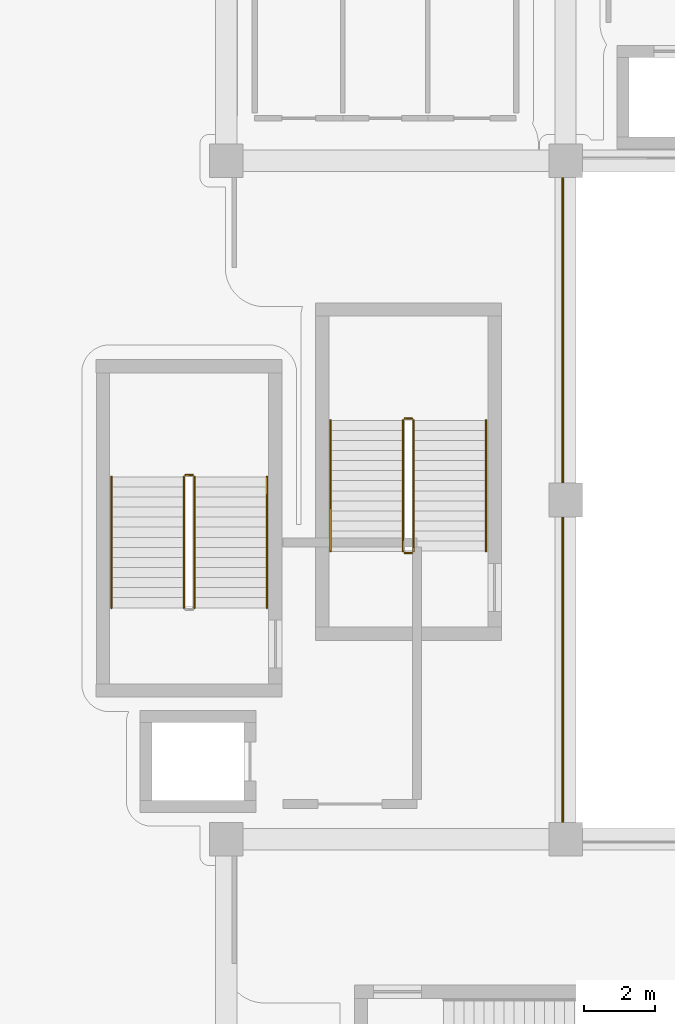
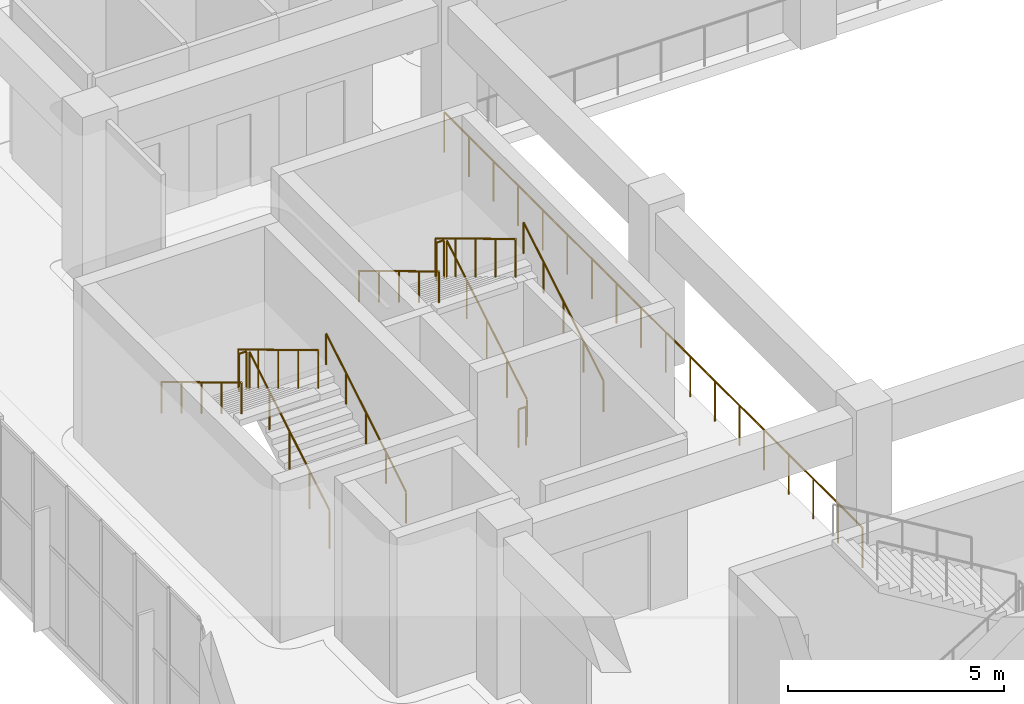
# One storey, part 64 of 86: 12 railings.
"""IFC4 building model written with IfcOpenShell, lengths in metres."""

from ifc_helpers import new_model, si_unit, direction, frame, origin, origin_2d, place, context, subcontext, project, spatial, circle, extrude, material, type_object, element, save


model = new_model("IFC4")

# Units and contexts
model_context = context("Model", 3, precision=1e-05, world=origin(), true_north=direction((0.0, 1.0)))
body_context = subcontext(model_context, "Body", "Model", "MODEL_VIEW")
ifc_project = project(units=[si_unit("LENGTHUNIT", "METRE"), si_unit("AREAUNIT", "SQUARE_METRE"), si_unit("VOLUMEUNIT", "CUBIC_METRE"), si_unit("PLANEANGLEUNIT", "RADIAN"), si_unit("MASSUNIT", "GRAM", prefix="KILO")], contexts=[model_context])

# Site, building, storey
site_placement = place(None, origin())
site = spatial("IfcSite", under=ifc_project, at=site_placement, CompositionType="ELEMENT")
building_placement = place(site_placement, origin())
building = spatial("IfcBuilding", under=site, at=building_placement, Name="Cendralis Terraced Arcade", CompositionType="ELEMENT")
storey_placement = place(building_placement, frame((0.0, 0.0, 5.39990234375)))
storey = spatial("IfcBuildingStorey", under=building, at=storey_placement, Name="L01", CompositionType="ELEMENT", Elevation=5.39990234375)

# Railings
ifc_material = material(Name="Brushed stainless steel AISI 316", Category="steel")
railing_type_1 = type_object("IfcRailingType", Name="RL-STAIR-GUARD-1100", PredefinedType="GUARDRAIL", material=ifc_material)
railing_1_placement = place(storey_placement, frame((8.699951171875, 25.75, 0.171630859375)))
element("IfcRailing", 1, at=railing_1_placement, inside=storey, type_object=railing_type_1, Name="L01 ST-01 stair guard 1", PredefinedType="GUARDRAIL", context=body_context, shape_type="SweptSolid", body=[
    extrude(circle(Radius=0.02392578125, at=origin_2d()), frame((0.0, 0.0, 1.076171875), z_axis=(0.0, 0.856934400257, 0.515425487977), x_axis=(-1.0, 0.0, 0.0)), (0.0, 0.0, 1.0), 4.32373046875),
    extrude(circle(Radius=0.02099609375, at=origin_2d()), origin(), (0.0, 0.0, 1.0), 1.052001953125),
    extrude(circle(Radius=0.02099609375, at=origin_2d()), frame((0.0, 0.92626953125, 0.55712890625)), (0.0, 0.0, 1.0), 1.052001953125),
    extrude(circle(Radius=0.02099609375, at=origin_2d()), frame((0.0, 1.8525390625, 1.1142578125)), (0.0, 0.0, 1.0), 1.052001953125),
    extrude(circle(Radius=0.02099609375, at=origin_2d()), frame((0.0, 2.77880859375, 1.67138671875)), (0.0, 0.0, 1.0), 1.052001953125),
    extrude(circle(Radius=0.02099609375, at=origin_2d()), frame((0.0, 3.705078125, 2.228515625)), (0.0, 0.0, 1.0), 1.052001953125),
])
railing_2_placement = place(storey_placement, frame((8.64990234375, 29.5048828125, 2.400146484375)))
element("IfcRailing", 2, at=railing_2_placement, inside=storey, type_object=railing_type_1, Name="L01 ST-01 stair guard 2", PredefinedType="GUARDRAIL", context=body_context, shape_type="SweptSolid", body=[
    extrude(circle(Radius=0.02392578125, at=origin_2d()), frame((0.0, 0.0, 1.076171875), z_axis=(-1.0, 0.0, 0.0), x_axis=(0.0, -1.0, 0.0)), (0.0, 0.0, 1.0), 0.199951171875),
    extrude(circle(Radius=0.02099609375, at=origin_2d()), origin(), (0.0, 0.0, 1.0), 1.052001953125),
    extrude(circle(Radius=0.02099609375, at=origin_2d()), frame((-0.199951171875, 0.0, 0.0)), (0.0, 0.0, 1.0), 1.052001953125),
])
railing_3_placement = place(storey_placement, frame((8.39990234375, 29.455078125, 2.571533203125)))
element("IfcRailing", 3, at=railing_3_placement, inside=storey, type_object=railing_type_1, Name="L01 ST-01 stair guard 3", PredefinedType="GUARDRAIL", context=body_context, shape_type="SweptSolid", body=[
    extrude(circle(Radius=0.02392578125, at=origin_2d()), frame((0.0, 0.0, 1.076171875), z_axis=(0.0, -0.856934400257, 0.515425487977), x_axis=(1.0, 0.0, 0.0)), (0.0, 0.0, 1.0), 4.32373046875),
    extrude(circle(Radius=0.02099609375, at=origin_2d()), origin(), (0.0, 0.0, 1.0), 1.052001953125),
    extrude(circle(Radius=0.02099609375, at=origin_2d()), frame((0.0, -0.92626953125, 0.55712890625)), (0.0, 0.0, 1.0), 1.052001953125),
    extrude(circle(Radius=0.02099609375, at=origin_2d()), frame((0.0, -1.8525390625, 1.1142578125)), (0.0, 0.0, 1.0), 1.052001953125),
    extrude(circle(Radius=0.02099609375, at=origin_2d()), frame((0.0, -2.77880859375, 1.67138671875)), (0.0, 0.0, 1.0), 1.052001953125),
    extrude(circle(Radius=0.02099609375, at=origin_2d()), frame((0.0, -3.705078125, 2.228515625)), (0.0, 0.0, 1.0), 1.052001953125),
])
railing_4_placement = place(storey_placement, frame((14.89990234375, 27.35009765625, 0.171630859375)))
element("IfcRailing", 4, at=railing_4_placement, inside=storey, type_object=railing_type_1, Name="L01 ST-05 stair guard 1", PredefinedType="GUARDRAIL", context=body_context, shape_type="SweptSolid", body=[
    extrude(circle(Radius=0.02392578125, at=origin_2d()), frame((0.0, 0.0, 1.076171875), z_axis=(0.0, 0.856919398105, 0.515450429384), x_axis=(-1.0, 0.0, 0.0)), (0.0, 0.0, 1.0), 4.323486328125),
    extrude(circle(Radius=0.02099609375, at=origin_2d()), origin(), (0.0, 0.0, 1.0), 1.052001953125),
    extrude(circle(Radius=0.02099609375, at=origin_2d()), frame((0.0, 0.92626953125, 0.55712890625)), (0.0, 0.0, 1.0), 1.052001953125),
    extrude(circle(Radius=0.02099609375, at=origin_2d()), frame((0.0, 1.8525390625, 1.1142578125)), (0.0, 0.0, 1.0), 1.052001953125),
    extrude(circle(Radius=0.02099609375, at=origin_2d()), frame((0.0, 2.778564453125, 1.67138671875)), (0.0, 0.0, 1.0), 1.052001953125),
    extrude(circle(Radius=0.02099609375, at=origin_2d()), frame((0.0, 3.704833984375, 2.228515625)), (0.0, 0.0, 1.0), 1.052001953125),
])
railing_5_placement = place(storey_placement, frame((14.85009765625, 31.10498046875, 2.400146484375)))
element("IfcRailing", 5, at=railing_5_placement, inside=storey, type_object=railing_type_1, Name="L01 ST-05 stair guard 2", PredefinedType="GUARDRAIL", context=body_context, shape_type="SweptSolid", body=[
    extrude(circle(Radius=0.02392578125, at=origin_2d()), frame((0.0, 0.0, 1.076171875), z_axis=(-1.0, 0.0, 0.0), x_axis=(0.0, -1.0, 0.0)), (0.0, 0.0, 1.0), 0.2001953125),
    extrude(circle(Radius=0.02099609375, at=origin_2d()), origin(), (0.0, 0.0, 1.0), 1.052001953125),
    extrude(circle(Radius=0.02099609375, at=origin_2d()), frame((-0.2001953125, 0.0, 0.0)), (0.0, 0.0, 1.0), 1.052001953125),
])
railing_6_placement = place(storey_placement, frame((14.60009765625, 31.054931640625, 2.571533203125)))
element("IfcRailing", 6, at=railing_6_placement, inside=storey, type_object=railing_type_1, Name="L01 ST-05 stair guard 3", PredefinedType="GUARDRAIL", context=body_context, shape_type="SweptSolid", body=[
    extrude(circle(Radius=0.02392578125, at=origin_2d()), frame((0.0, 0.0, 1.076171875), z_axis=(0.0, -0.856919398105, 0.515450429384), x_axis=(1.0, 0.0, 0.0)), (0.0, 0.0, 1.0), 4.323486328125),
    extrude(circle(Radius=0.02099609375, at=origin_2d()), origin(), (0.0, 0.0, 1.0), 1.052001953125),
    extrude(circle(Radius=0.02099609375, at=origin_2d()), frame((0.0, -0.92626953125, 0.55712890625)), (0.0, 0.0, 1.0), 1.052001953125),
    extrude(circle(Radius=0.02099609375, at=origin_2d()), frame((0.0, -1.8525390625, 1.1142578125)), (0.0, 0.0, 1.0), 1.052001953125),
    extrude(circle(Radius=0.02099609375, at=origin_2d()), frame((0.0, -2.778564453125, 1.67138671875)), (0.0, 0.0, 1.0), 1.052001953125),
    extrude(circle(Radius=0.02099609375, at=origin_2d()), frame((0.0, -3.704833984375, 2.228515625)), (0.0, 0.0, 1.0), 1.052001953125),
])
railing_7_placement = place(storey_placement, frame((14.85009765625, 27.300048828125, 0.0)))
element("IfcRailing", 7, at=railing_7_placement, inside=storey, type_object=railing_type_1, Name="L01 ST-05 stair guard 4", PredefinedType="GUARDRAIL", context=body_context, shape_type="SweptSolid", body=[
    extrude(circle(Radius=0.02392578125, at=origin_2d()), frame((0.0, 0.0, 1.076171875), z_axis=(-1.0, 0.0, 0.0), x_axis=(0.0, -1.0, 0.0)), (0.0, 0.0, 1.0), 0.2001953125),
    extrude(circle(Radius=0.02099609375, at=origin_2d()), origin(), (0.0, 0.0, 1.0), 1.052001953125),
    extrude(circle(Radius=0.02099609375, at=origin_2d()), frame((-0.2001953125, 0.0, 0.0)), (0.0, 0.0, 1.0), 1.052001953125),
])
railing_type_2 = type_object("IfcRailingType", Name="RL-STAIR-HAND-900", PredefinedType="HANDRAIL", material=ifc_material)
railing_8_placement = place(storey_placement, frame((10.75, 25.75, 0.171630859375)))
element("IfcRailing", 8, at=railing_8_placement, inside=storey, type_object=railing_type_2, Name="L01 ST-01 stair handrail 1", PredefinedType="HANDRAIL", context=body_context, shape_type="SweptSolid", body=[
    extrude(circle(Radius=0.02392578125, at=origin_2d()), frame((0.0, 0.0, 0.8759765625), z_axis=(0.0, 0.856934400257, 0.515425487977), x_axis=(-1.0, 0.0, 0.0)), (0.0, 0.0, 1.0), 4.32373046875),
    extrude(circle(Radius=0.02099609375, at=origin_2d()), origin(), (0.0, 0.0, 1.0), 0.851806640625),
    extrude(circle(Radius=0.02099609375, at=origin_2d()), frame((0.0, 0.92626953125, 0.55712890625)), (0.0, 0.0, 1.0), 0.851806640625),
    extrude(circle(Radius=0.02099609375, at=origin_2d()), frame((0.0, 1.8525390625, 1.1142578125)), (0.0, 0.0, 1.0), 0.851806640625),
    extrude(circle(Radius=0.02099609375, at=origin_2d()), frame((0.0, 2.77880859375, 1.67138671875)), (0.0, 0.0, 1.0), 0.851806640625),
    extrude(circle(Radius=0.02099609375, at=origin_2d()), frame((0.0, 3.705078125, 2.228515625)), (0.0, 0.0, 1.0), 0.851806640625),
])
railing_9_placement = place(storey_placement, frame((6.35009765625, 29.455078125, 2.571533203125)))
element("IfcRailing", 9, at=railing_9_placement, inside=storey, type_object=railing_type_2, Name="L01 ST-01 stair handrail 2", PredefinedType="HANDRAIL", context=body_context, shape_type="SweptSolid", body=[
    extrude(circle(Radius=0.02392578125, at=origin_2d()), frame((0.0, 0.0, 0.8759765625), z_axis=(0.0, -0.856934400257, 0.515425487977), x_axis=(1.0, 0.0, 0.0)), (0.0, 0.0, 1.0), 4.32373046875),
    extrude(circle(Radius=0.02099609375, at=origin_2d()), origin(), (0.0, 0.0, 1.0), 0.851806640625),
    extrude(circle(Radius=0.02099609375, at=origin_2d()), frame((0.0, -0.92626953125, 0.55712890625)), (0.0, 0.0, 1.0), 0.851806640625),
    extrude(circle(Radius=0.02099609375, at=origin_2d()), frame((0.0, -1.8525390625, 1.1142578125)), (0.0, 0.0, 1.0), 0.851806640625),
    extrude(circle(Radius=0.02099609375, at=origin_2d()), frame((0.0, -2.77880859375, 1.67138671875)), (0.0, 0.0, 1.0), 0.851806640625),
    extrude(circle(Radius=0.02099609375, at=origin_2d()), frame((0.0, -3.705078125, 2.228515625)), (0.0, 0.0, 1.0), 0.851806640625),
])
railing_10_placement = place(storey_placement, frame((16.949951171875, 27.35009765625, 0.171630859375)))
element("IfcRailing", 10, at=railing_10_placement, inside=storey, type_object=railing_type_2, Name="L01 ST-05 stair handrail 1", PredefinedType="HANDRAIL", context=body_context, shape_type="SweptSolid", body=[
    extrude(circle(Radius=0.02392578125, at=origin_2d()), frame((0.0, 0.0, 0.8759765625), z_axis=(0.0, 0.856919398105, 0.515450429384), x_axis=(-1.0, 0.0, 0.0)), (0.0, 0.0, 1.0), 4.323486328125),
    extrude(circle(Radius=0.02099609375, at=origin_2d()), origin(), (0.0, 0.0, 1.0), 0.851806640625),
    extrude(circle(Radius=0.02099609375, at=origin_2d()), frame((0.0, 0.92626953125, 0.55712890625)), (0.0, 0.0, 1.0), 0.851806640625),
    extrude(circle(Radius=0.02099609375, at=origin_2d()), frame((0.0, 1.8525390625, 1.1142578125)), (0.0, 0.0, 1.0), 0.851806640625),
    extrude(circle(Radius=0.02099609375, at=origin_2d()), frame((0.0, 2.778564453125, 1.67138671875)), (0.0, 0.0, 1.0), 0.851806640625),
    extrude(circle(Radius=0.02099609375, at=origin_2d()), frame((0.0, 3.704833984375, 2.228515625)), (0.0, 0.0, 1.0), 0.851806640625),
])
railing_11_placement = place(storey_placement, frame((12.550048828125, 31.054931640625, 2.571533203125)))
element("IfcRailing", 11, at=railing_11_placement, inside=storey, type_object=railing_type_2, Name="L01 ST-05 stair handrail 2", PredefinedType="HANDRAIL", context=body_context, shape_type="SweptSolid", body=[
    extrude(circle(Radius=0.02392578125, at=origin_2d()), frame((0.0, 0.0, 0.8759765625), z_axis=(0.0, -0.856919398105, 0.515450429384), x_axis=(1.0, 0.0, 0.0)), (0.0, 0.0, 1.0), 4.323486328125),
    extrude(circle(Radius=0.02099609375, at=origin_2d()), origin(), (0.0, 0.0, 1.0), 0.851806640625),
    extrude(circle(Radius=0.02099609375, at=origin_2d()), frame((0.0, -0.92626953125, 0.55712890625)), (0.0, 0.0, 1.0), 0.851806640625),
    extrude(circle(Radius=0.02099609375, at=origin_2d()), frame((0.0, -1.8525390625, 1.1142578125)), (0.0, 0.0, 1.0), 0.851806640625),
    extrude(circle(Radius=0.02099609375, at=origin_2d()), frame((0.0, -2.778564453125, 1.67138671875)), (0.0, 0.0, 1.0), 0.851806640625),
    extrude(circle(Radius=0.02099609375, at=origin_2d()), frame((0.0, -3.704833984375, 2.228515625)), (0.0, 0.0, 1.0), 0.851806640625),
])
railing_type_3 = type_object("IfcRailingType", Name="RL-VOID-BAL-1150", PredefinedType="BALUSTRADE", material=ifc_material)
railing_12_placement = place(storey_placement, frame((19.1201171875, 38.47998046875, 0.0)))
element("IfcRailing", 12, at=railing_12_placement, inside=storey, type_object=railing_type_3, Name="Atrium and Arcade Gallery Balustrade L01-039", PredefinedType="BALUSTRADE", context=body_context, shape_type="SweptSolid", body=[
    extrude(circle(Radius=0.02392578125, at=origin_2d()), frame((0.0, 0.0, 1.1259765625), z_axis=(0.0, -1.0, 0.0), x_axis=(1.0, 0.0, 0.0)), (0.0, 0.0, 1.0), 19.35986328125),
    extrude(circle(Radius=0.02099609375, at=origin_2d()), origin(), (0.0, 0.0, 1.0), 1.101806640625),
    extrude(circle(Radius=0.02099609375, at=origin_2d()), frame((0.0, -1.138916015625, 0.0)), (0.0, 0.0, 1.0), 1.101806640625),
    extrude(circle(Radius=0.02099609375, at=origin_2d()), frame((0.0, -2.277587890625, 0.0)), (0.0, 0.0, 1.0), 1.101806640625),
    extrude(circle(Radius=0.02099609375, at=origin_2d()), frame((0.0, -3.41650390625, 0.0)), (0.0, 0.0, 1.0), 1.101806640625),
    extrude(circle(Radius=0.02099609375, at=origin_2d()), frame((0.0, -4.55517578125, 0.0)), (0.0, 0.0, 1.0), 1.101806640625),
    extrude(circle(Radius=0.02099609375, at=origin_2d()), frame((0.0, -5.694091796875, 0.0)), (0.0, 0.0, 1.0), 1.101806640625),
    extrude(circle(Radius=0.02099609375, at=origin_2d()), frame((0.0, -6.8330078125, 0.0)), (0.0, 0.0, 1.0), 1.101806640625),
    extrude(circle(Radius=0.02099609375, at=origin_2d()), frame((0.0, -7.9716796875, 0.0)), (0.0, 0.0, 1.0), 1.101806640625),
    extrude(circle(Radius=0.02099609375, at=origin_2d()), frame((0.0, -9.110595703125, 0.0)), (0.0, 0.0, 1.0), 1.101806640625),
    extrude(circle(Radius=0.02099609375, at=origin_2d()), frame((0.0, -10.249267578125, 0.0)), (0.0, 0.0, 1.0), 1.101806640625),
    extrude(circle(Radius=0.02099609375, at=origin_2d()), frame((0.0, -11.38818359375, 0.0)), (0.0, 0.0, 1.0), 1.101806640625),
    extrude(circle(Radius=0.02099609375, at=origin_2d()), frame((0.0, -12.52685546875, 0.0)), (0.0, 0.0, 1.0), 1.101806640625),
    extrude(circle(Radius=0.02099609375, at=origin_2d()), frame((0.0, -13.665771484375, 0.0)), (0.0, 0.0, 1.0), 1.101806640625),
    extrude(circle(Radius=0.02099609375, at=origin_2d()), frame((0.0, -14.8046875, 0.0)), (0.0, 0.0, 1.0), 1.101806640625),
    extrude(circle(Radius=0.02099609375, at=origin_2d()), frame((0.0, -15.943359375, 0.0)), (0.0, 0.0, 1.0), 1.101806640625),
    extrude(circle(Radius=0.02099609375, at=origin_2d()), frame((0.0, -17.082275390625, 0.0)), (0.0, 0.0, 1.0), 1.101806640625),
    extrude(circle(Radius=0.02099609375, at=origin_2d()), frame((0.0, -18.220947265625, 0.0)), (0.0, 0.0, 1.0), 1.101806640625),
    extrude(circle(Radius=0.02099609375, at=origin_2d()), frame((0.0, -19.35986328125, 0.0)), (0.0, 0.0, 1.0), 1.101806640625),
])

save(model, "model.ifc")
